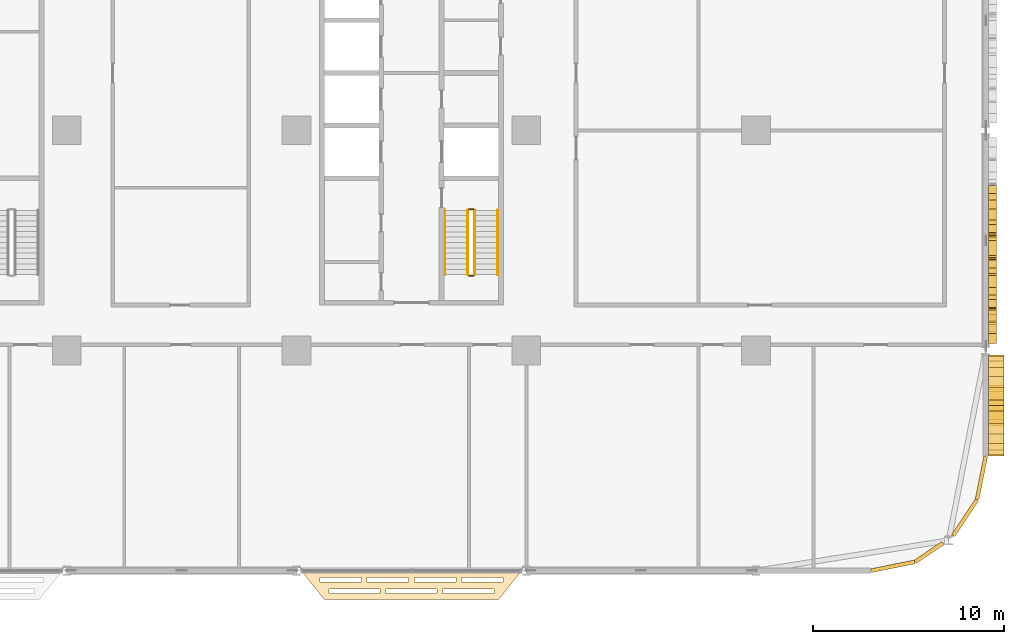
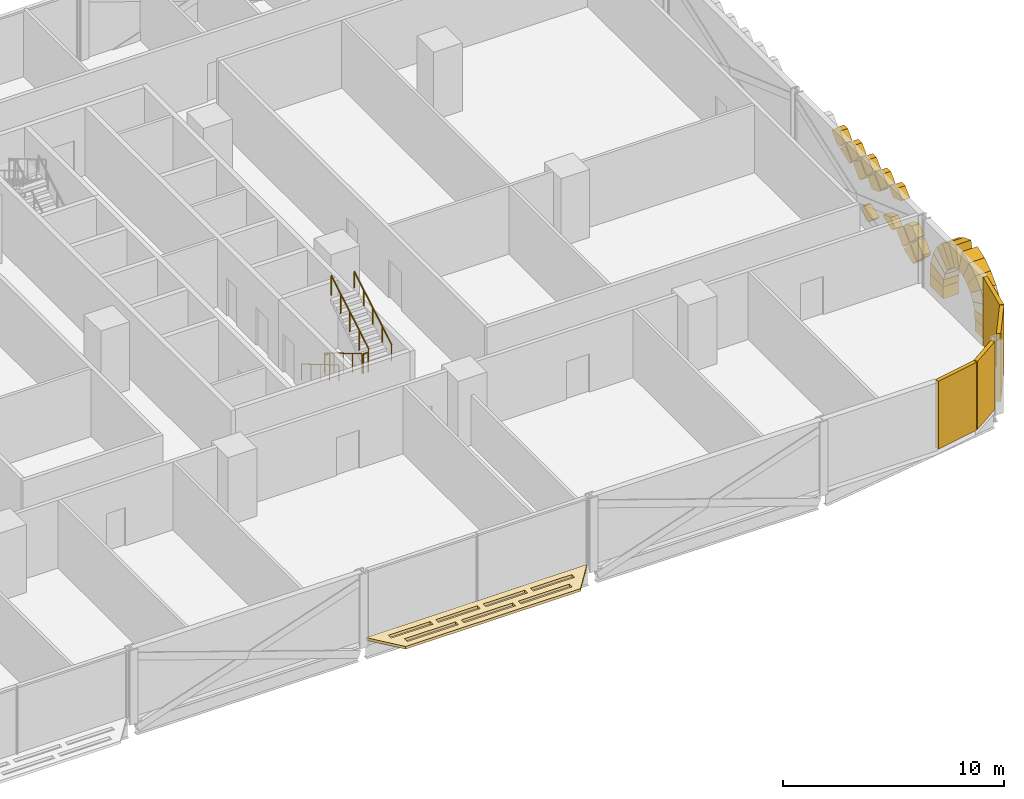
# One storey, part 28 of 29: 33 coverings, 6 railings.
"""IFC4 building model written with IfcOpenShell, lengths in metres."""

from ifc_helpers import new_model, si_unit, direction, frame, origin, origin_2d, place, context, subcontext, project, spatial, polyline, rectangle, circle, outline, extrude, material, layer, layer_set, type_object, element, save


model = new_model("IFC4")

# Units and contexts
model_context = context("Model", 3, precision=1e-05, world=origin(), true_north=direction((0.0, 1.0)))
body_context = subcontext(model_context, "Body", "Model", "MODEL_VIEW")
ifc_project = project(units=[si_unit("LENGTHUNIT", "METRE"), si_unit("AREAUNIT", "SQUARE_METRE"), si_unit("VOLUMEUNIT", "CUBIC_METRE"), si_unit("PLANEANGLEUNIT", "RADIAN"), si_unit("MASSUNIT", "GRAM", prefix="KILO")], contexts=[model_context])

# Site, building, storey
site_placement = place(None, origin())
site = spatial("IfcSite", under=ifc_project, at=site_placement, CompositionType="ELEMENT")
building_placement = place(site_placement, origin())
building = spatial("IfcBuilding", under=site, at=building_placement, Name="Mahtab Terrace Research Tower", CompositionType="ELEMENT")
storey_placement = place(building_placement, frame((0.0, 0.0, 76.10009765625)))
storey = spatial("IfcBuildingStorey", under=building, at=storey_placement, Name="L17", CompositionType="ELEMENT", Elevation=76.10009765625)

# Coverings
ifc_material_1 = material(Name="Black aluminium cladding panel", Category="aluminium")
ifc_layer_1 = layer(ifc_material_1, 0.199951171875)
ifc_layer_set_1 = layer_set([ifc_layer_1], Name="Black metal corner cladding 200")
covering_type_1 = type_object("IfcCoveringType", Name="Black metal corner cladding 200", PredefinedType="CLADDING", material=ifc_layer_set_1)
covering_1_placement = place(storey_placement, frame((49.14794921875, -22.771484375, 0.0), z_axis=(0.0, 0.0, 1.0), x_axis=(0.980760981187, 0.195212442692, 0.0)))
element("IfcCovering", 1, at=covering_1_placement, inside=storey, type_object=covering_type_1, Name="Corner cladding L17 31", PredefinedType="CLADDING", context=body_context, shape_type="SweptSolid", body=[
    extrude(rectangle(XDim=2.30126953125, YDim=0.199951171875, at=origin_2d()), origin(), (0.0, 0.0, 1.0), 3.75),
])
covering_2_placement = place(storey_placement, frame((51.0380859375, -22.047607421875, 0.0), z_axis=(0.0, 0.0, 1.0), x_axis=(0.831655794326, 0.555291490808, 0.0)))
element("IfcCovering", 2, at=covering_2_placement, inside=storey, type_object=covering_type_1, Name="Corner cladding L17 32", PredefinedType="CLADDING", context=body_context, shape_type="SweptSolid", body=[
    extrude(rectangle(XDim=1.74462890625, YDim=0.199951171875, at=origin_2d()), origin(), (0.0, 0.0, 1.0), 3.75),
])
covering_3_placement = place(storey_placement, frame((52.911376953125, -20.2421875, 0.0), z_axis=(0.0, 0.0, 1.0), x_axis=(0.555291490808, 0.831655794326, 0.0)))
element("IfcCovering", 3, at=covering_3_placement, inside=storey, type_object=covering_type_1, Name="Corner cladding L17 33", PredefinedType="CLADDING", context=body_context, shape_type="SweptSolid", body=[
    extrude(rectangle(XDim=2.235595703125, YDim=0.199951171875, at=origin_2d()), origin(), (0.0, 0.0, 1.0), 3.75),
])
covering_4_placement = place(storey_placement, frame((53.771484375, -18.14794921875, 0.0), z_axis=(0.0, 0.0, 1.0), x_axis=(0.195212442692, 0.980760981187, 0.0)))
element("IfcCovering", 4, at=covering_4_placement, inside=storey, type_object=covering_type_1, Name="Corner cladding L17 34", PredefinedType="CLADDING", context=body_context, shape_type="SweptSolid", body=[
    extrude(rectangle(XDim=2.30126953125, YDim=0.199951171875, at=origin_2d()), origin(), (0.0, 0.0, 1.0), 3.75),
])
ifc_material_2 = material(Name="Black anodised aluminium", Category="aluminium")
ifc_layer_2 = layer(ifc_material_2, 0.14990234375)
ifc_layer_set_2 = layer_set([ifc_layer_2], Name="Horizontal sunshade band")
covering_type_2 = type_object("IfcCoveringType", Name="Horizontal sunshade band", PredefinedType="CLADDING", material=ifc_layer_set_2)
covering_5_placement = place(storey_placement, frame((0.0, 0.0, -0.150146484375)))
element("IfcCovering", 5, at=covering_5_placement, inside=storey, type_object=covering_type_2, Name="Sunshade band L17 28", PredefinedType="CLADDING", context=body_context, shape_type="SweptSolid", body=[
    extrude(outline(polyline([(18.238037109375, -23.0), (29.761962890625, -23.0), (28.56201171875, -24.5), (19.43798828125, -24.5), (18.238037109375, -23.0)]), holes=[polyline([(19.218017578125, -23.35009765625), (21.384033203125, -23.35009765625), (21.384033203125, -23.60009765625), (19.218017578125, -23.60009765625), (19.218017578125, -23.35009765625)]), polyline([(21.68408203125, -23.35009765625), (23.85009765625, -23.35009765625), (23.85009765625, -23.60009765625), (21.68408203125, -23.60009765625), (21.68408203125, -23.35009765625)]), polyline([(24.14990234375, -23.35009765625), (26.31591796875, -23.35009765625), (26.31591796875, -23.60009765625), (24.14990234375, -23.60009765625), (24.14990234375, -23.35009765625)]), polyline([(26.615966796875, -23.35009765625), (28.781982421875, -23.35009765625), (28.781982421875, -23.60009765625), (26.615966796875, -23.60009765625), (26.615966796875, -23.35009765625)]), polyline([(19.697998046875, -23.949951171875), (22.365966796875, -23.949951171875), (22.365966796875, -24.199951171875), (19.697998046875, -24.199951171875), (19.697998046875, -23.949951171875)]), polyline([(22.666015625, -23.949951171875), (25.333984375, -23.949951171875), (25.333984375, -24.199951171875), (22.666015625, -24.199951171875), (22.666015625, -23.949951171875)]), polyline([(25.634033203125, -23.949951171875), (28.302001953125, -23.949951171875), (28.302001953125, -24.199951171875), (25.634033203125, -24.199951171875), (25.634033203125, -23.949951171875)])]), origin(), (0.0, 0.0, 1.0), 0.150146484375),
])
ifc_material_3 = material(Name="Bronze anodised aluminium", Category="aluminium")
ifc_layer_3 = layer(ifc_material_3, 0.39990234375)
ifc_layer_set_3 = layer_set([ifc_layer_3], Name="Mashrabiya relief panel 400")
covering_type_3 = type_object("IfcCoveringType", Name="Mashrabiya relief panel 400", PredefinedType="CLADDING", material=ifc_layer_set_3)
covering_6_placement = place(storey_placement, frame((54.14990234375, -10.612060546875, 1.829833984375), z_axis=(-1.0, 0.0, 0.0), x_axis=(0.0, 0.707255598772, -0.706957932274)))
element("IfcCovering", 6, at=covering_6_placement, inside=storey, type_object=covering_type_3, Name="Mashrabiya lattice cell L17 E36.1", PredefinedType="CLADDING", context=body_context, shape_type="SweptSolid", body=[
    extrude(outline(polyline([(0.0, 0.0), (0.8201817362875763, 0.0), (0.8200090664636573, 0.8203543334390104), (0.09184101544392964, 0.8202010671685369), (-0.0001532662704735177, 0.7281680510197277), (0.0, 0.0)])), origin(), (0.0, 0.0, -1.0), 0.39990234375),
])
covering_7_placement = place(storey_placement, frame((54.14990234375, -10.5419921875, 0.599853515625), z_axis=(-1.0, 0.0, 0.0), x_axis=(0.0, 0.707106781187, 0.707106781187)))
element("IfcCovering", 7, at=covering_7_placement, inside=storey, type_object=covering_type_3, Name="Mashrabiya lattice cell L17 E36.2", PredefinedType="CLADDING", context=body_context, shape_type="SweptSolid", body=[
    extrude(outline(polyline([(0.0, 0.0), (0.8203543516109556, 0.0), (0.8203543516109556, 0.8144848128999344), (0.0, 0.4243331221085288), (0.0, 0.0)])), origin(), (0.0, 0.0, -1.0), 0.39990234375),
])
covering_8_placement = place(storey_placement, frame((54.14990234375, -9.382080078125, 1.89990234375), z_axis=(-1.0, 0.0, 0.0), x_axis=(0.0, -0.706957932274, -0.707255598772)))
element("IfcCovering", 8, at=covering_8_placement, inside=storey, type_object=covering_type_3, Name="Mashrabiya lattice cell L17 E36.3", PredefinedType="CLADDING", context=body_context, shape_type="SweptSolid", body=[
    extrude(outline(polyline([(0.0, 0.0), (0.8201817362875763, 0.0), (0.8200090664636573, 0.8203543334390104), (0.23581734416618022, 0.8202313715947045), (-6.787610081662732e-05, 0.32247935497981306), (0.0, 0.0)])), origin(), (0.0, 0.0, -1.0), 0.39990234375),
])
covering_9_placement = place(storey_placement, frame((54.14990234375, -9.31201171875, 1.829833984375), z_axis=(-1.0, 0.0, 0.0), x_axis=(0.0, 0.707255598772, -0.706957932274)))
element("IfcCovering", 9, at=covering_9_placement, inside=storey, type_object=covering_type_3, Name="Mashrabiya lattice cell L17 E36.4", PredefinedType="CLADDING", context=body_context, shape_type="SweptSolid", body=[
    extrude(outline(polyline([(0.0, 0.0), (0.8201817362875763, 0.0), (0.8200090664636573, 0.8203543334390104), (-0.0003452669753531423, 0.8201816636150915), (0.0, 0.0)])), origin(), (0.0, 0.0, -1.0), 0.39990234375),
])
covering_10_placement = place(storey_placement, frame((54.14990234375, -9.241943359375, 3.199951171875), z_axis=(-1.0, 0.0, 0.0), x_axis=(0.0, 0.707106781187, 0.707106781187)))
element("IfcCovering", 10, at=covering_10_placement, inside=storey, type_object=covering_type_3, Name="Mashrabiya lattice cell L17 E36.5", PredefinedType="CLADDING", context=body_context, shape_type="SweptSolid", body=[
    extrude(outline(polyline([(0.0, 0.0), (0.5869538711021147, 0.0), (0.820181718119455, 0.23322784701734023), (0.820181718119455, 0.820181718119455), (0.3266225659191767, 0.8203543516109556), (0.0, 0.13292778845547892), (0.0, 0.0)])), origin(), (0.0, 0.0, -1.0), 0.39990234375),
])
covering_11_placement = place(storey_placement, frame((54.14990234375, -8.592041015625, 1.25), z_axis=(-1.0, 0.0, 0.0), x_axis=(0.0, 0.70733330905, 0.706880180729)))
element("IfcCovering", 11, at=covering_11_placement, inside=storey, type_object=covering_type_3, Name="Mashrabiya lattice cell L17 E36.6", PredefinedType="CLADDING", context=body_context, shape_type="SweptSolid", body=[
    extrude(outline(polyline([(0.0, 0.0), (0.5387891546301997, 0.0), (0.820371567317996, 0.5923879513867856), (0.8204277658499926, 0.7677835697481283), (0.00012146848057528747, 0.3791031278755008), (0.0, 0.0)])), origin(), (0.0, 0.0, -1.0), 0.39990234375),
])
covering_12_placement = place(storey_placement, frame((54.14990234375, -6.781982421875, 3.199951171875), z_axis=(-1.0, 0.0, 0.0), x_axis=(0.0, -0.707106781187, -0.707106781187)))
element("IfcCovering", 12, at=covering_12_placement, inside=storey, type_object=covering_type_3, Name="Mashrabiya lattice cell L17 E36.7", PredefinedType="CLADDING", context=body_context, shape_type="SweptSolid", body=[
    extrude(outline(polyline([(0.0, 0.0), (0.8203543516109556, 0.0), (0.820181718119455, 0.820181718119455), (0.23340048050884088, 0.8203543516109556), (0.0, 0.5869538711021147), (0.0, 0.0)])), origin(), (0.0, 0.0, -1.0), 0.39990234375),
])
covering_13_placement = place(storey_placement, frame((54.14990234375, -7.2919921875, 2.5498046875), z_axis=(-1.0, 0.0, 0.0), x_axis=(0.0, 0.707106781187, 0.707106781187)))
element("IfcCovering", 13, at=covering_13_placement, inside=storey, type_object=covering_type_3, Name="Mashrabiya lattice cell L17 E36.8", PredefinedType="CLADDING", context=body_context, shape_type="SweptSolid", body=[
    extrude(outline(polyline([(0.0, 0.0), (0.8203543516109556, 0.0), (0.820181718119455, 0.820181718119455), (0.2815652246375145, 0.8201817181194551), (0.0, 0.22753094179781974), (0.0, 0.0)])), origin(), (0.0, 0.0, -1.0), 0.39990234375),
])
covering_14_placement = place(storey_placement, frame((54.14990234375, -6.52294921875, 0.48095703125), z_axis=(-1.0, 0.0, 0.0), x_axis=(0.0, 0.942560843875, 0.33403451258)))
element("IfcCovering", 14, at=covering_14_placement, inside=storey, type_object=covering_type_3, Name="Mashrabiya lattice cell L17 E36.9", PredefinedType="CLADDING", context=body_context, shape_type="SweptSolid", body=[
    extrude(outline(polyline([(0.0, 0.0), (0.8200523327200883, 0.0), (0.9643324496299667, 0.11692216793549781), (1.0209360951923119, 0.2356679762385), (0.4272886050719736, 0.5184560866567023), (0.210518020372292, 0.44163467287494523), (0.0, 0.0)])), origin(), (0.0, 0.0, -1.0), 0.39990234375),
])
covering_15_placement = place(storey_placement, frame((54.14990234375, -5.48193359375, 3.199951171875), z_axis=(-1.0, 0.0, 0.0), x_axis=(0.0, -0.707106781187, -0.707106781187)))
element("IfcCovering", 15, at=covering_15_placement, inside=storey, type_object=covering_type_3, Name="Mashrabiya lattice cell L17 E36.10", PredefinedType="CLADDING", context=body_context, shape_type="SweptSolid", body=[
    extrude(outline(polyline([(0.0, 0.0), (0.8203543516109556, 0.0), (0.8203543516109556, 0.8203543516109556), (0.23340048050884088, 0.8203543516109556), (0.0, 0.5869538711021147), (0.0, 0.0)])), origin(), (0.0, 0.0, -1.0), 0.39990234375),
])
covering_16_placement = place(storey_placement, frame((54.14990234375, -5.991943359375, 2.5498046875), z_axis=(-1.0, 0.0, 0.0), x_axis=(0.0, 0.706957932274, 0.707255598772)))
element("IfcCovering", 16, at=covering_16_placement, inside=storey, type_object=covering_type_3, Name="Mashrabiya lattice cell L17 E36.11", PredefinedType="CLADDING", context=body_context, shape_type="SweptSolid", body=[
    extrude(outline(polyline([(0.0, 0.0), (0.8201817362875763, 0.0), (0.8200090664636573, 0.8203543334390104), (0.10461589353199502, 0.820203756050475), (-0.00016220498610569622, 0.7706358889881613), (0.0, 0.0)])), origin(), (0.0, 0.0, -1.0), 0.39990234375),
])
covering_17_placement = place(storey_placement, frame((54.14990234375, -4.181884765625, 3.199951171875), z_axis=(-1.0, 0.0, 0.0), x_axis=(0.0, -0.707106781187, -0.707106781187)))
element("IfcCovering", 17, at=covering_17_placement, inside=storey, type_object=covering_type_3, Name="Mashrabiya lattice cell L17 E36.12", PredefinedType="CLADDING", context=body_context, shape_type="SweptSolid", body=[
    extrude(outline(polyline([(0.0, 0.0), (0.8203543516109556, 0.0), (0.8203543516109556, 0.8203543516109556), (0.23340048050884088, 0.8203543516109556), (0.0, 0.5869538711021147), (0.0, 0.0)])), origin(), (0.0, 0.0, -1.0), 0.39990234375),
])
covering_18_placement = place(storey_placement, frame((54.14990234375, -4.69189453125, 2.5498046875), z_axis=(-1.0, 0.0, 0.0), x_axis=(0.0, 0.706957932274, 0.707255598772)))
element("IfcCovering", 18, at=covering_18_placement, inside=storey, type_object=covering_type_3, Name="Mashrabiya lattice cell L17 E36.13", PredefinedType="CLADDING", context=body_context, shape_type="SweptSolid", body=[
    extrude(outline(polyline([(0.0, 0.0), (0.8201817362875763, 0.0), (0.8200391528723705, 0.6774138056428193), (-6.068152481999989e-05, 0.28829792441985425), (0.0, 0.0)])), origin(), (0.0, 0.0, -1.0), 0.39990234375),
])
covering_19_placement = place(storey_placement, frame((54.14990234375, -4.0419921875, 3.199951171875), z_axis=(-1.0, 0.0, 0.0), x_axis=(0.0, 0.707106781187, 0.707106781187)))
element("IfcCovering", 19, at=covering_19_placement, inside=storey, type_object=covering_type_3, Name="Mashrabiya lattice cell L17 E36.14", PredefinedType="CLADDING", context=body_context, shape_type="SweptSolid", body=[
    extrude(outline(polyline([(0.0, 0.0), (0.5869538711021147, 0.0), (0.820181718119455, 0.23322784701734023), (0.820181718119455, 0.820181718119455), (0.20077275061522337, 0.820181718119455), (0.0, 0.7240248633536085), (0.0, 0.0)])), origin(), (0.0, 0.0, -1.0), 0.39990234375),
])
ifc_material_4 = material(Name="Glazed ceramic tile cladding", Category="masonry")
ifc_layer_4 = layer(ifc_material_4, 0.800048828125)
ifc_layer_set_4 = layer_set([ifc_layer_4], Name="Pishtaq frame arch course 800")
covering_type_4 = type_object("IfcCoveringType", Name="Pishtaq frame arch course 800", PredefinedType="CLADDING", material=ifc_layer_set_4)
covering_20_placement = place(storey_placement, frame((54.14990234375, -17.0, 0.664794921875), z_axis=(-1.0, 0.0, 0.0), x_axis=(0.0, 0.110038118256, 0.993927367835)))
element("IfcCovering", 20, at=covering_20_placement, inside=storey, type_object=covering_type_4, Name="Pishtaq frame arch course 35a1", PredefinedType="CLADDING", context=body_context, shape_type="SweptSolid", body=[
    extrude(outline(polyline([(0.0, 0.0), (0.6811382552026428, -1.3877787807814457e-17), (0.5486658621651641, 1.192964022672046), (0.1320403689527815, 1.1926643097917364), (0.0, 0.0)])), origin(), (0.0, 0.0, -1.0), 0.800048828125),
])
covering_21_placement = place(storey_placement, frame((54.14990234375, -16.925048828125, 1.341796875), z_axis=(-1.0, 0.0, 0.0), x_axis=(0.0, 0.326101119283, 0.945334893042)))
element("IfcCovering", 21, at=covering_21_placement, inside=storey, type_object=covering_type_4, Name="Pishtaq frame arch course 35a2", PredefinedType="CLADDING", context=body_context, shape_type="SweptSolid", body=[
    extrude(outline(polyline([(0.0, 0.0), (0.6812855142558181, 0.0), (0.5501929272958377, 1.1929215615945556), (0.1333450657699305, 1.1928667937962556), (0.0, 0.0)])), origin(), (0.0, 0.0, -1.0), 0.800048828125),
])
covering_22_placement = place(storey_placement, frame((54.14990234375, -16.702880859375, 1.98583984375), z_axis=(-1.0, 0.0, 0.0), x_axis=(0.0, 0.524057426105, 0.851682930523)))
element("IfcCovering", 22, at=covering_22_placement, inside=storey, type_object=covering_type_4, Name="Pishtaq frame arch course 35a3", PredefinedType="CLADDING", context=body_context, shape_type="SweptSolid", body=[
    extrude(outline(polyline([(0.0, 0.0), (0.6810963378633053, 0.0), (0.5483045964532375, 1.1925041393778733), (0.13172005971198475, 1.1928524403053902), (0.0, 0.0)])), origin(), (0.0, 0.0, -1.0), 0.800048828125),
])
covering_23_placement = place(storey_placement, frame((54.14990234375, -16.345947265625, 2.56591796875), z_axis=(-1.0, 0.0, 0.0), x_axis=(0.0, 0.698095545517, 0.716004615438)))
element("IfcCovering", 23, at=covering_23_placement, inside=storey, type_object=covering_type_4, Name="Pishtaq frame arch course 35a4", PredefinedType="CLADDING", context=body_context, shape_type="SweptSolid", body=[
    extrude(outline(polyline([(0.0, 0.0), (0.6816116807798627, 0.0), (0.5485863799112742, 1.1928621971308107), (0.13199176914302524, 1.1925929489555835), (0.0, 0.0)])), origin(), (0.0, 0.0, -1.0), 0.800048828125),
])
covering_24_placement = place(storey_placement, frame((54.14990234375, -15.8701171875, 3.053955078125), z_axis=(-1.0, 0.0, 0.0), x_axis=(0.0, 0.838664730892, 0.544648023183)))
element("IfcCovering", 24, at=covering_24_placement, inside=storey, type_object=covering_type_4, Name="Pishtaq frame arch course 35a5", PredefinedType="CLADDING", context=body_context, shape_type="SweptSolid", body=[
    extrude(outline(polyline([(0.0, 0.0), (0.6808977423760596, 5.551115123125783e-17), (0.5491160665979712, 1.192665934701309), (0.1329954821296434, 1.192865522071967), (0.0, 0.0)])), origin(), (0.0, 0.0, -1.0), 0.800048828125),
])
covering_25_placement = place(storey_placement, frame((54.14990234375, -15.299072265625, 3.4248046875), z_axis=(-1.0, 0.0, 0.0), x_axis=(0.0, 0.937588819758, 0.347745891514)))
element("IfcCovering", 25, at=covering_25_placement, inside=storey, type_object=covering_type_4, Name="Pishtaq frame arch course 35a6", PredefinedType="CLADDING", context=body_context, shape_type="SweptSolid", body=[
    extrude(outline(polyline([(0.0, 0.0), (0.6817062477505971, 0.0), (0.5497612922843892, 1.1926114734595719), (0.13262790634406313, 1.1925721279346666), (0.0, 0.0)])), origin(), (0.0, 0.0, -1.0), 0.800048828125),
])
covering_26_placement = place(storey_placement, frame((54.14990234375, -12.93798828125, 0.664794921875), z_axis=(-1.0, 0.0, 0.0), x_axis=(0.0, -0.110174239511, 0.993912288358)))
element("IfcCovering", 26, at=covering_26_placement, inside=storey, type_object=covering_type_4, Name="Pishtaq frame arch course 35b1", PredefinedType="CLADDING", context=body_context, shape_type="SweptSolid", body=[
    extrude(outline(polyline([(0.0, 0.0), (0.41659863234436023, 0.0), (0.5489345410027394, 1.1927394997354521), (-0.13220370781205723, 1.1926462151555801), (0.0, 0.0)])), origin(), (0.0, 0.0, -1.0), 0.800048828125),
])
covering_27_placement = place(storey_placement, frame((54.14990234375, -12.98388671875, 1.078857421875), z_axis=(-1.0, 0.0, 0.0), x_axis=(0.0, -0.326748522511, 0.945111317802)))
element("IfcCovering", 27, at=covering_27_placement, inside=storey, type_object=covering_type_4, Name="Pishtaq frame arch course 35b2", PredefinedType="CLADDING", context=body_context, shape_type="SweptSolid", body=[
    extrude(outline(polyline([(0.0, 0.0), (0.41692757385085266, 0.0), (0.5471233004471121, 1.1932418099180624), (-0.13408228141895248, 1.1925444430959813), (0.0, 0.0)])), origin(), (0.0, 0.0, -1.0), 0.800048828125),
])
covering_28_placement = place(storey_placement, frame((54.14990234375, -13.1201171875, 1.472900390625), z_axis=(-1.0, 0.0, 0.0), x_axis=(0.0, -0.522919427618, 0.852382116319)))
element("IfcCovering", 28, at=covering_28_placement, inside=storey, type_object=covering_type_4, Name="Pishtaq frame arch course 35b3", PredefinedType="CLADDING", context=body_context, shape_type="SweptSolid", body=[
    extrude(outline(polyline([(0.0, 0.0), (0.41645696449277464, 0.0), (0.5509689945318506, 1.1921176143327816), (-0.1302544017030055, 1.1932354063626565), (0.0, 0.0)])), origin(), (0.0, 0.0, -1.0), 0.800048828125),
])
covering_29_placement = place(storey_placement, frame((54.14990234375, -13.337890625, 1.827880859375), z_axis=(-1.0, 0.0, 0.0), x_axis=(0.0, -0.698558158692, 0.715553281681)))
element("IfcCovering", 29, at=covering_29_placement, inside=storey, type_object=covering_type_4, Name="Pishtaq frame arch course 35b4", PredefinedType="CLADDING", context=body_context, shape_type="SweptSolid", body=[
    extrude(outline(polyline([(0.0, 0.0), (0.41659469777678254, 0.0), (0.5490195617963811, 1.192773227585252), (-0.1325919766244138, 1.1923326970114285), (0.0, 0.0)])), origin(), (0.0, 0.0, -1.0), 0.800048828125),
])
covering_30_placement = place(storey_placement, frame((54.14990234375, -13.62890625, 2.1259765625), z_axis=(-1.0, 0.0, 0.0), x_axis=(0.0, -0.838577570445, 0.544782211849)))
element("IfcCovering", 30, at=covering_30_placement, inside=storey, type_object=covering_type_4, Name="Pishtaq frame arch course 35b5", PredefinedType="CLADDING", context=body_context, shape_type="SweptSolid", body=[
    extrude(outline(polyline([(0.0, 0.0), (0.416325341929595, 0.0), (0.548297855768548, 1.1926448329066184), (-0.13259987789081495, 1.1927537840803901), (0.0, 0.0)])), origin(), (0.0, 0.0, -1.0), 0.800048828125),
])
covering_31_placement = place(storey_placement, frame((54.14990234375, -13.97802734375, 2.352783203125), z_axis=(-1.0, 0.0, 0.0), x_axis=(0.0, -0.937550817451, 0.347848335769)))
element("IfcCovering", 31, at=covering_31_placement, inside=storey, type_object=covering_type_4, Name="Pishtaq frame arch course 35b6", PredefinedType="CLADDING", context=body_context, shape_type="SweptSolid", body=[
    extrude(outline(polyline([(0.0, 0.0), (0.4169044849085888, 0.0), (0.5489797511547148, 1.1925970492779217), (-0.132497598283895, 1.1925866125010913), (0.0, 0.0)])), origin(), (0.0, 0.0, -1.0), 0.800048828125),
])
ifc_layer_5 = layer(ifc_material_4, 0.800048828125)
ifc_layer_set_5 = layer_set([ifc_layer_5], Name="Pishtaq frame pier 800")
covering_type_5 = type_object("IfcCoveringType", Name="Pishtaq frame pier 800", PredefinedType="CLADDING", material=ifc_layer_set_5)
for number, where, z_axis, x_axis, name in (
    (32, (54.550048828125, -16.39990234375, 0.00048828125), (0.0, 0.0, 1.0), (0.0, 1.0, 0.0), "Pishtaq frame pier 35a"),
    (33, (54.550048828125, -12.337890625, 0.00048828125), (0.0, 0.0, 1.0), (0.0, 1.0, 0.0), "Pishtaq frame pier 35b"),
):
    element("IfcCovering", number, at=place(storey_placement, frame(where, z_axis=z_axis, x_axis=x_axis)), inside=storey, type_object=covering_type_5, Name=name, PredefinedType="CLADDING", context=body_context, shape_type="SweptSolid", body=[
        extrude(rectangle(XDim=1.199951171875, YDim=0.800048828125, at=origin_2d()), origin(), (0.0, 0.0, 1.0), 0.6650390625),
    ])

# Railings
ifc_material_5 = material(Name="Stainless steel AISI 304", Category="steel")
railing_type_1 = type_object("IfcRailingType", Name="Stair guard 1100", PredefinedType="GUARDRAIL", material=ifc_material_5)
railing_1_placement = place(storey_placement, frame((26.949951171875, -4.175048828125, 0.165283203125)))
element("IfcRailing", 34, at=railing_1_placement, inside=storey, type_object=railing_type_1, Name="L17 ST4 stair guard 1", PredefinedType="GUARDRAIL", context=body_context, shape_type="SweptSolid", body=[
    extrude(circle(Radius=0.02392578125, at=origin_2d()), frame((0.0, 0.0, 1.076171875), z_axis=(0.0, -0.861011212953, 0.508585972249), x_axis=(1.0, 0.0, 0.0)), (0.0, 0.0, 1.0), 3.90234375),
    extrude(circle(Radius=0.02099609375, at=origin_2d()), origin(), (0.0, 0.0, 1.0), 1.052001953125),
    extrude(circle(Radius=0.02099609375, at=origin_2d()), frame((0.0, -0.83984375, 0.49609375)), (0.0, 0.0, 1.0), 1.052001953125),
    extrude(circle(Radius=0.02099609375, at=origin_2d()), frame((0.0, -1.679931640625, 0.9921875)), (0.0, 0.0, 1.0), 1.052001953125),
    extrude(circle(Radius=0.02099609375, at=origin_2d()), frame((0.0, -2.52001953125, 1.488525390625)), (0.0, 0.0, 1.0), 1.052001953125),
    extrude(circle(Radius=0.02099609375, at=origin_2d()), frame((0.0, -3.35986328125, 1.984619140625)), (0.0, 0.0, 1.0), 1.052001953125),
])
railing_2_placement = place(storey_placement, frame((27.0, -7.5849609375, 2.14990234375)))
element("IfcRailing", 35, at=railing_2_placement, inside=storey, type_object=railing_type_1, Name="L17 ST4 stair guard 2", PredefinedType="GUARDRAIL", context=body_context, shape_type="SweptSolid", body=[
    extrude(circle(Radius=0.02392578125, at=origin_2d()), frame((0.0, 0.0, 1.076171875), z_axis=(1.0, 0.0, 0.0), x_axis=(0.0, 1.0, 0.0)), (0.0, 0.0, 1.0), 0.25),
    extrude(circle(Radius=0.02099609375, at=origin_2d()), origin(), (0.0, 0.0, 1.0), 1.052001953125),
    extrude(circle(Radius=0.02099609375, at=origin_2d()), frame((0.25, 0.0, 0.0)), (0.0, 0.0, 1.0), 1.052001953125),
])
railing_3_placement = place(storey_placement, frame((27.300048828125, -7.534912109375, 2.315185546875)))
element("IfcRailing", 36, at=railing_3_placement, inside=storey, type_object=railing_type_1, Name="L17 ST4 stair guard 3", PredefinedType="GUARDRAIL", context=body_context, shape_type="SweptSolid", body=[
    extrude(circle(Radius=0.02392578125, at=origin_2d()), frame((0.0, 0.0, 1.076171875), z_axis=(0.0, 0.861011212953, 0.508585972249), x_axis=(-1.0, 0.0, 0.0)), (0.0, 0.0, 1.0), 3.90234375),
    extrude(circle(Radius=0.02099609375, at=origin_2d()), origin(), (0.0, 0.0, 1.0), 1.052001953125),
    extrude(circle(Radius=0.02099609375, at=origin_2d()), frame((0.0, 0.83984375, 0.49609375)), (0.0, 0.0, 1.0), 1.052001953125),
    extrude(circle(Radius=0.02099609375, at=origin_2d()), frame((0.0, 1.679931640625, 0.9921875)), (0.0, 0.0, 1.0), 1.052001953125),
    extrude(circle(Radius=0.02099609375, at=origin_2d()), frame((0.0, 2.52001953125, 1.488525390625)), (0.0, 0.0, 1.0), 1.052001953125),
    extrude(circle(Radius=0.02099609375, at=origin_2d()), frame((0.0, 3.35986328125, 1.984619140625)), (0.0, 0.0, 1.0), 1.052001953125),
])
railing_4_placement = place(storey_placement, frame((27.0, -4.125, 0.0)))
element("IfcRailing", 37, at=railing_4_placement, inside=storey, type_object=railing_type_1, Name="L17 ST4 stair guard 4", PredefinedType="GUARDRAIL", context=body_context, shape_type="SweptSolid", body=[
    extrude(circle(Radius=0.02392578125, at=origin_2d()), frame((0.0, 0.0, 1.076171875), z_axis=(1.0, 0.0, 0.0), x_axis=(0.0, 1.0, 0.0)), (0.0, 0.0, 1.0), 0.25),
    extrude(circle(Radius=0.02099609375, at=origin_2d()), origin(), (0.0, 0.0, 1.0), 1.052001953125),
    extrude(circle(Radius=0.02099609375, at=origin_2d()), frame((0.25, 0.0, 0.0)), (0.0, 0.0, 1.0), 1.052001953125),
])
railing_type_2 = type_object("IfcRailingType", Name="Stair handrail 900", PredefinedType="HANDRAIL", material=ifc_material_5)
railing_5_placement = place(storey_placement, frame((25.75, -4.175048828125, 0.165283203125)))
element("IfcRailing", 38, at=railing_5_placement, inside=storey, type_object=railing_type_2, Name="L17 ST4 stair handrail 1", PredefinedType="HANDRAIL", context=body_context, shape_type="SweptSolid", body=[
    extrude(circle(Radius=0.02392578125, at=origin_2d()), frame((0.0, 0.0, 0.8759765625), z_axis=(0.0, -0.861011212953, 0.508585972249), x_axis=(1.0, 0.0, 0.0)), (0.0, 0.0, 1.0), 3.90234375),
    extrude(circle(Radius=0.02099609375, at=origin_2d()), origin(), (0.0, 0.0, 1.0), 0.851806640625),
    extrude(circle(Radius=0.02099609375, at=origin_2d()), frame((0.0, -0.83984375, 0.49609375)), (0.0, 0.0, 1.0), 0.851806640625),
    extrude(circle(Radius=0.02099609375, at=origin_2d()), frame((0.0, -1.679931640625, 0.9921875)), (0.0, 0.0, 1.0), 0.851806640625),
    extrude(circle(Radius=0.02099609375, at=origin_2d()), frame((0.0, -2.52001953125, 1.488525390625)), (0.0, 0.0, 1.0), 0.851806640625),
    extrude(circle(Radius=0.02099609375, at=origin_2d()), frame((0.0, -3.35986328125, 1.984619140625)), (0.0, 0.0, 1.0), 0.851806640625),
])
railing_6_placement = place(storey_placement, frame((28.5, -7.534912109375, 2.315185546875)))
element("IfcRailing", 39, at=railing_6_placement, inside=storey, type_object=railing_type_2, Name="L17 ST4 stair handrail 2", PredefinedType="HANDRAIL", context=body_context, shape_type="SweptSolid", body=[
    extrude(circle(Radius=0.02392578125, at=origin_2d()), frame((0.0, 0.0, 0.8759765625), z_axis=(0.0, 0.861011212953, 0.508585972249), x_axis=(-1.0, 0.0, 0.0)), (0.0, 0.0, 1.0), 3.90234375),
    extrude(circle(Radius=0.02099609375, at=origin_2d()), origin(), (0.0, 0.0, 1.0), 0.851806640625),
    extrude(circle(Radius=0.02099609375, at=origin_2d()), frame((0.0, 0.83984375, 0.49609375)), (0.0, 0.0, 1.0), 0.851806640625),
    extrude(circle(Radius=0.02099609375, at=origin_2d()), frame((0.0, 1.679931640625, 0.9921875)), (0.0, 0.0, 1.0), 0.851806640625),
    extrude(circle(Radius=0.02099609375, at=origin_2d()), frame((0.0, 2.52001953125, 1.488525390625)), (0.0, 0.0, 1.0), 0.851806640625),
    extrude(circle(Radius=0.02099609375, at=origin_2d()), frame((0.0, 3.35986328125, 1.984619140625)), (0.0, 0.0, 1.0), 0.851806640625),
])

save(model, "model.ifc")
